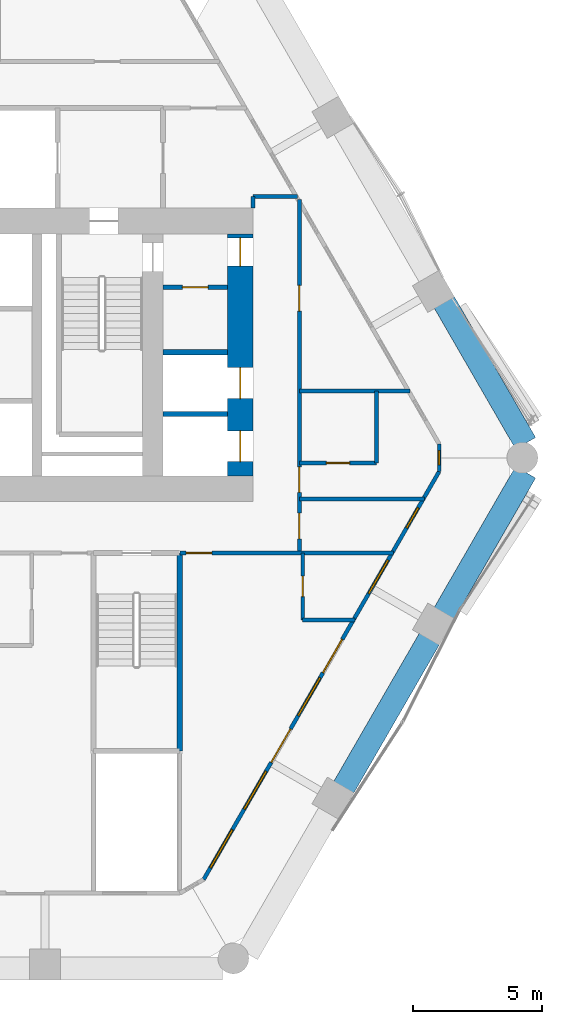
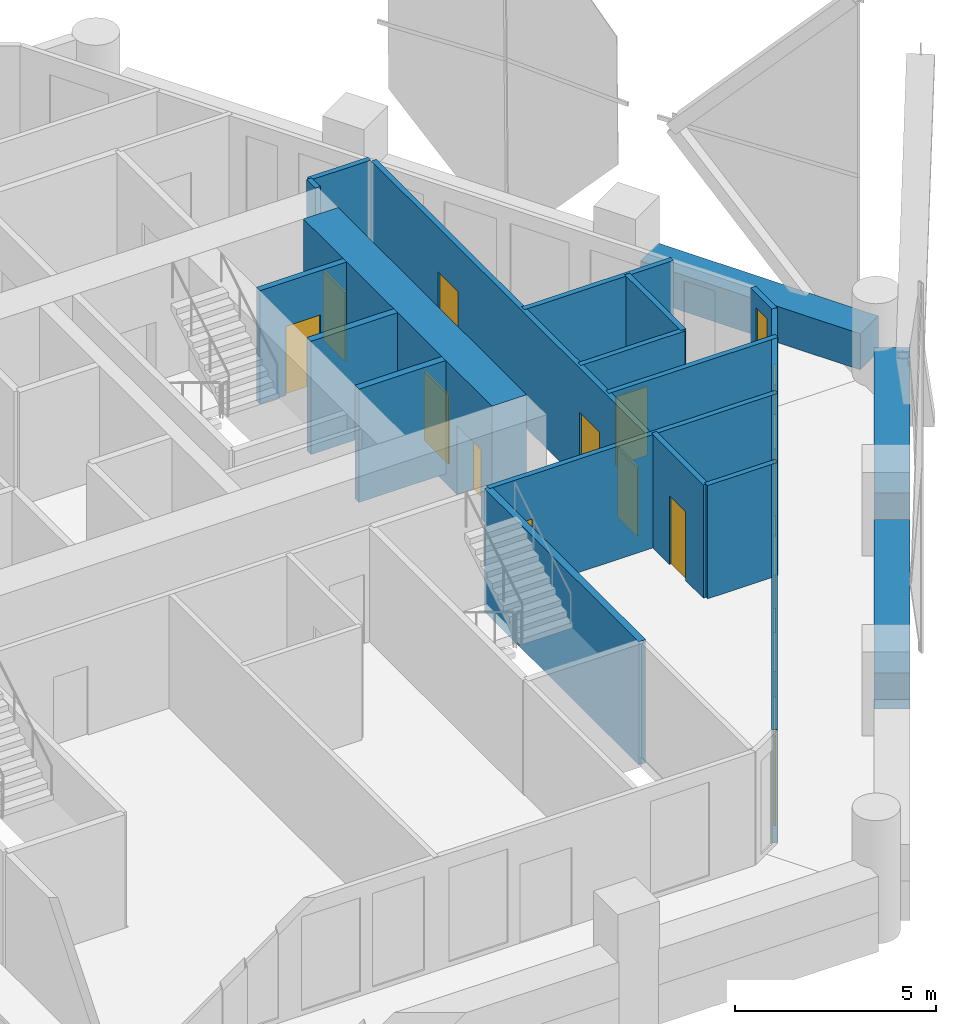
# One storey, part 12 of 16: 20 walls, 12 doors, 6 windows, 18 openings.
"""IFC4 building model written with IfcOpenShell, lengths in metres."""

from ifc_helpers import new_model, si_unit, direction, frame, frame_2d, origin, place, context, subcontext, project, spatial, rectangle, extrude, material, layer, layer_set, type_object, element, fill, save


model = new_model("IFC4")

# Units and contexts
model_context = context("Model", 3, precision=1e-05, world=origin(), true_north=direction((0.0, 1.0)))
body_context = subcontext(model_context, "Body", "Model", "MODEL_VIEW")
ifc_project = project(units=[si_unit("LENGTHUNIT", "METRE"), si_unit("AREAUNIT", "SQUARE_METRE"), si_unit("VOLUMEUNIT", "CUBIC_METRE"), si_unit("PLANEANGLEUNIT", "RADIAN"), si_unit("MASSUNIT", "GRAM", prefix="KILO")], contexts=[model_context])

# Site, building, storey
site_placement = place(None, origin())
site = spatial("IfcSite", under=ifc_project, at=site_placement, CompositionType="ELEMENT")
building_placement = place(site_placement, origin())
building = spatial("IfcBuilding", under=site, at=building_placement, Name="Ostrander Bayou Hotel Tower", CompositionType="ELEMENT")
storey_placement = place(building_placement, frame((0.0, 0.0, 85.5)))
storey = spatial("IfcBuildingStorey", under=building, at=storey_placement, Name="L21", CompositionType="ELEMENT", Elevation=85.5)

# Wall, openings, doors
ifc_material_1 = material(Name="Concrete f'c 70 MPa", Category="concrete")
ifc_layer_1 = layer(ifc_material_1, 1.0)
ifc_layer_set_1 = layer_set([ifc_layer_1], Name="CW4 core wall 1000 mm f'c 70 MPa")
wall_type_1 = type_object("IfcWallType", Name="CW4 core wall 1000 mm f'c 70 MPa", PredefinedType="SHEAR", material=ifc_layer_set_1)
wall_1_placement = place(storey_placement, frame((11.5, -0.699951171875, -0.300048828125), z_axis=(0.0, 0.0, 1.0), x_axis=(0.0, 1.0, 0.0)))
wall_1 = element("IfcWall", 1, at=wall_1_placement, inside=storey, type_object=wall_type_1, Name="CW4 L21 RE", PredefinedType="SHEAR", context=body_context, shape_type="SweptSolid", body=[
    extrude(rectangle(XDim=9.39990234375, YDim=1.0, at=frame_2d((4.699951171875, 0.0))), origin(), (0.0, 0.0, 1.0), 3.75),
])
opening_1_placement = place(wall_1_placement, frame((8.14990234375, 0.0, 0.0)))
opening_1 = element("IfcOpeningElement", 2, at=opening_1_placement, cuts=wall_1, Name="Opening T21-020", PredefinedType="OPENING", context=body_context, shape_type="SweptSolid", body=[
    extrude(rectangle(XDim=1.10009765625, YDim=2.10009765625, at=frame_2d((0.550048828125, 1.050048828125))), frame((0.0, 0.5, 0.0), z_axis=(0.0, -1.0, 0.0), x_axis=(1.0, 0.0, 0.0)), (0.0, 0.0, 1.0), 1.0),
])
opening_2_placement = place(wall_1_placement, frame((0.550048828125, 0.0, 0.0)))
opening_2 = element("IfcOpeningElement", 3, at=opening_2_placement, cuts=wall_1, Name="Opening T21-021", PredefinedType="OPENING", context=body_context, shape_type="SweptSolid", body=[
    extrude(rectangle(XDim=1.199951171875, YDim=2.10009765625, at=frame_2d((0.60009765625, 1.050048828125))), frame((0.0, 0.5, 0.0), z_axis=(0.0, -1.0, 0.0), x_axis=(1.0, 0.0, 0.0)), (0.0, 0.0, 1.0), 1.0),
])
opening_3_placement = place(wall_1_placement, frame((3.0, 0.0, 0.0)))
opening_3 = element("IfcOpeningElement", 4, at=opening_3_placement, cuts=wall_1, Name="Opening T21-022", PredefinedType="OPENING", context=body_context, shape_type="SweptSolid", body=[
    extrude(rectangle(XDim=1.199951171875, YDim=2.10009765625, at=frame_2d((0.60009765625, 1.050048828125))), frame((0.0, 0.5, 0.0), z_axis=(0.0, -1.0, 0.0), x_axis=(1.0, 0.0, 0.0)), (0.0, 0.0, 1.0), 1.0),
])
ifc_material_2 = material(Name="Timber door leaf", Category="wood")
door_type_1 = type_object("IfcDoorType", Name="D5 stair door 1100 x 2100 mm, 90 minute", OperationType="SINGLE_SWING_LEFT", PredefinedType="DOOR", material=ifc_material_2)
door_1_placement = place(opening_1_placement, origin())
door_1 = element("IfcDoor", 5, at=door_1_placement, inside=storey, type_object=door_type_1, Name="dr:L21:020", OperationType="SINGLE_SWING_RIGHT", OverallHeight=2.10009765625, OverallWidth=1.10009765625, PredefinedType="DOOR", context=body_context, shape_type="SweptSolid", body=[
    extrude(rectangle(XDim=1.10009765625, YDim=2.10009765625, at=frame_2d((0.550048828125, 1.050048828125))), frame((0.0, 0.02490234375, 0.0), z_axis=(0.0, -1.0, 0.0), x_axis=(1.0, 0.0, 0.0)), (0.0, 0.0, 1.0), 0.050048828125),
])
fill(opening_1, door_1)
ifc_material_3 = material(Name="Stainless steel sliding door", Category="steel")
door_type_2 = type_object("IfcDoorType", Name="LD1 lift landing door 1200 x 2100 mm", OperationType="SINGLE_SWING_LEFT", PredefinedType="DOOR", material=ifc_material_3)
door_2_placement = place(opening_2_placement, origin())
door_2 = element("IfcDoor", 6, at=door_2_placement, inside=storey, type_object=door_type_2, Name="dr:L21:021", OperationType="SLIDING_TO_LEFT", OverallHeight=2.10009765625, OverallWidth=1.199951171875, PredefinedType="DOOR", context=body_context, shape_type="SweptSolid", body=[
    extrude(rectangle(XDim=1.199951171875, YDim=2.10009765625, at=frame_2d((0.60009765625, 1.050048828125))), frame((0.0, 0.02490234375, 0.0), z_axis=(0.0, -1.0, 0.0), x_axis=(1.0, 0.0, 0.0)), (0.0, 0.0, 1.0), 0.050048828125),
])
fill(opening_2, door_2)
door_3_placement = place(opening_3_placement, origin())
door_3 = element("IfcDoor", 7, at=door_3_placement, inside=storey, type_object=door_type_2, Name="dr:L21:022", OperationType="SLIDING_TO_LEFT", OverallHeight=2.10009765625, OverallWidth=1.199951171875, PredefinedType="DOOR", context=body_context, shape_type="SweptSolid", body=[
    extrude(rectangle(XDim=1.199951171875, YDim=2.10009765625, at=frame_2d((0.60009765625, 1.050048828125))), frame((0.0, 0.02490234375, 0.0), z_axis=(0.0, -1.0, 0.0), x_axis=(1.0, 0.0, 0.0)), (0.0, 0.0, 1.0), 0.050048828125),
])
fill(opening_3, door_3)

# Wall, openings, doors, windows
ifc_material_4 = material(Name="Aluminium framed insulated wall", Category="aluminium")
ifc_layer_2 = layer(ifc_material_4, 0.14990234375)
ifc_layer_set_2 = layer_set([ifc_layer_2], Name="GW1 glass-line wall 150 mm")
wall_type_2 = type_object("IfcWallType", Name="GW1 glass-line wall 150 mm", PredefinedType="SOLIDWALL", material=ifc_layer_set_2)
wall_2_placement = place(storey_placement, frame((10.0791015625, -16.392578125, 0.0), z_axis=(0.0, 0.0, 1.0), x_axis=(0.499995945303, 0.866027744752, 0.0)))
wall_2 = element("IfcWall", 8, at=wall_2_placement, inside=storey, type_object=wall_type_2, Name="GW1 L21 SE 1", PredefinedType="SOLIDWALL", context=body_context, shape_type="SweptSolid", body=[
    extrude(rectangle(XDim=18.313720703125, YDim=0.14990234375, at=frame_2d((9.15673828125, 0.0))), origin(), (0.0, 0.0, 1.0), 3.449951171875),
])
opening_4_placement = place(wall_2_placement, frame((3.15673828125, 0.0, 0.14990234375)))
opening_4 = element("IfcOpeningElement", 9, at=opening_4_placement, cuts=wall_2, Name="Opening W2", PredefinedType="OPENING", context=body_context, shape_type="SweptSolid", body=[
    extrude(rectangle(XDim=1.699951171875, YDim=2.85009765625, at=frame_2d((0.85009765625, 1.425048828125))), frame((0.0, 0.074951171875, 0.0), z_axis=(0.0, -1.0, 0.0), x_axis=(1.0, 0.0, 0.0)), (0.0, 0.0, 1.0), 0.14990234375),
])
opening_5_placement = place(wall_2_placement, frame((5.2568359375, 0.0, 0.0)))
opening_5 = element("IfcOpeningElement", 10, at=opening_5_placement, cuts=wall_2, Name="Opening T21-804", PredefinedType="OPENING", context=body_context, shape_type="SweptSolid", body=[
    extrude(rectangle(XDim=1.5, YDim=2.39990234375, at=frame_2d((0.75, 1.199951171875))), frame((0.0, 0.074951171875, 0.0), z_axis=(0.0, -1.0, 0.0), x_axis=(1.0, 0.0, 0.0)), (0.0, 0.0, 1.0), 0.14990234375),
])
opening_6_placement = place(wall_2_placement, frame((7.356689453125, 0.0, 0.14990234375)))
opening_6 = element("IfcOpeningElement", 11, at=opening_6_placement, cuts=wall_2, Name="Opening W2", PredefinedType="OPENING", context=body_context, shape_type="SweptSolid", body=[
    extrude(rectangle(XDim=1.699951171875, YDim=2.85009765625, at=frame_2d((0.85009765625, 1.425048828125))), frame((0.0, 0.074951171875, 0.0), z_axis=(0.0, -1.0, 0.0), x_axis=(1.0, 0.0, 0.0)), (0.0, 0.0, 1.0), 0.14990234375),
])
opening_7_placement = place(wall_2_placement, frame((9.27978515625, 0.0, 0.0)))
opening_7 = element("IfcOpeningElement", 12, at=opening_7_placement, cuts=wall_2, Name="Opening T21-805", PredefinedType="OPENING", context=body_context, shape_type="SweptSolid", body=[
    extrude(rectangle(XDim=1.5, YDim=2.39990234375, at=frame_2d((0.75, 1.199951171875))), frame((0.0, 0.074951171875, 0.0), z_axis=(0.0, -1.0, 0.0), x_axis=(1.0, 0.0, 0.0)), (0.0, 0.0, 1.0), 0.14990234375),
])
opening_8_placement = place(wall_2_placement, frame((12.83203125, 0.0, 0.14990234375)))
opening_8 = element("IfcOpeningElement", 13, at=opening_8_placement, cuts=wall_2, Name="Opening W12", PredefinedType="OPENING", context=body_context, shape_type="SweptSolid", body=[
    extrude(rectangle(XDim=1.5, YDim=2.85009765625, at=frame_2d((0.75, 1.425048828125))), frame((0.0, 0.074951171875, 0.0), z_axis=(0.0, -1.0, 0.0), x_axis=(1.0, 0.0, 0.0)), (0.0, 0.0, 1.0), 0.14990234375),
])
opening_9_placement = place(wall_2_placement, frame((0.5283203125, 0.0, 0.14990234375)))
opening_9 = element("IfcOpeningElement", 14, at=opening_9_placement, cuts=wall_2, Name="Opening W2", PredefinedType="OPENING", context=body_context, shape_type="SweptSolid", body=[
    extrude(rectangle(XDim=1.699951171875, YDim=2.72998046875, at=frame_2d((0.85009765625, 1.364990234375))), frame((0.0, 0.074951171875, 0.0), z_axis=(0.0, -1.0, 0.0), x_axis=(1.0, 0.0, 0.0)), (0.0, 0.0, 1.0), 0.14990234375),
])
opening_10_placement = place(wall_2_placement, frame((15.781982421875, 0.0, 0.14990234375)))
opening_10 = element("IfcOpeningElement", 15, at=opening_10_placement, cuts=wall_2, Name="Opening W16", PredefinedType="OPENING", context=body_context, shape_type="SweptSolid", body=[
    extrude(rectangle(XDim=0.89990234375, YDim=2.72998046875, at=frame_2d((0.449951171875, 1.364990234375))), frame((0.0, 0.074951171875, 0.0), z_axis=(0.0, -1.0, 0.0), x_axis=(1.0, 0.0, 0.0)), (0.0, 0.0, 1.0), 0.14990234375),
])
ifc_material_5 = material(Name="Aluminium and clear glass", Category="aluminium")
door_type_3 = type_object("IfcDoorType", Name="SD2 sliding glass door 1500 mm, zone 2", OperationType="SLIDING_TO_LEFT", PredefinedType="DOOR", material=ifc_material_5)
door_4_placement = place(opening_5_placement, origin())
door_4 = element("IfcDoor", 16, at=door_4_placement, inside=storey, type_object=door_type_3, Name="SD2 L21 SE 1", OperationType="SLIDING_TO_LEFT", OverallHeight=2.39990234375, OverallWidth=1.5, PredefinedType="DOOR", context=body_context, shape_type="SweptSolid", body=[
    extrude(rectangle(XDim=1.5, YDim=2.39990234375, at=frame_2d((0.75, 1.199951171875))), frame((0.0, 0.02490234375, 0.0), z_axis=(0.0, -1.0, 0.0), x_axis=(1.0, 0.0, 0.0)), (0.0, 0.0, 1.0), 0.050048828125),
])
fill(opening_5, door_4)
door_5_placement = place(opening_7_placement, origin())
door_5 = element("IfcDoor", 17, at=door_5_placement, inside=storey, type_object=door_type_3, Name="SD2 L21 SE 2", OperationType="SLIDING_TO_RIGHT", OverallHeight=2.39990234375, OverallWidth=1.5, PredefinedType="DOOR", context=body_context, shape_type="SweptSolid", body=[
    extrude(rectangle(XDim=1.5, YDim=2.39990234375, at=frame_2d((0.75, 1.199951171875))), frame((0.0, 0.02490234375, 0.0), z_axis=(0.0, -1.0, 0.0), x_axis=(1.0, 0.0, 0.0)), (0.0, 0.0, 1.0), 0.050048828125),
])
fill(opening_7, door_5)
ifc_material_6 = material(Name="Aluminium and clear glass", Category="aluminium")
window_type_1 = type_object("IfcWindowType", Name="W12 fixed window 1500 mm, bath bay, zone 2", PartitioningType="SINGLE_PANEL", PredefinedType="WINDOW", material=ifc_material_6)
window_1_placement = place(opening_8_placement, origin())
window_1 = element("IfcWindow", 18, at=window_1_placement, inside=storey, type_object=window_type_1, Name="W12 L21 SE 3", OverallHeight=2.85009765625, OverallWidth=1.5, PartitioningType="SINGLE_PANEL", PredefinedType="WINDOW", context=body_context, shape_type="SweptSolid", body=[
    extrude(rectangle(XDim=1.5, YDim=2.85009765625, at=frame_2d((0.75, 1.425048828125))), frame((0.0, 0.030029296875, 0.0), z_axis=(0.0, -1.0, 0.0), x_axis=(1.0, 0.0, 0.0)), (0.0, 0.0, 1.0), 0.06005859375),
])
fill(opening_8, window_1)
ifc_material_7 = material(Name="Aluminium and clear glass", Category="aluminium")
window_type_2 = type_object("IfcWindowType", Name="W16 window 900 mm, zone 2", PartitioningType="SINGLE_PANEL", PredefinedType="WINDOW", material=ifc_material_7)
window_2_placement = place(opening_10_placement, origin())
window_2 = element("IfcWindow", 19, at=window_2_placement, inside=storey, type_object=window_type_2, Name="W16 L21 SE E21", OverallHeight=2.72998046875, OverallWidth=0.89990234375, PartitioningType="SINGLE_PANEL", PredefinedType="WINDOW", context=body_context, shape_type="SweptSolid", body=[
    extrude(rectangle(XDim=0.89990234375, YDim=2.72998046875, at=frame_2d((0.449951171875, 1.364990234375))), frame((0.0, 0.030029296875, 0.0), z_axis=(0.0, -1.0, 0.0), x_axis=(1.0, 0.0, 0.0)), (0.0, 0.0, 1.0), 0.06005859375),
])
fill(opening_10, window_2)
ifc_material_8 = material(Name="Aluminium and clear glass", Category="aluminium")
window_type_3 = type_object("IfcWindowType", Name="W2 fixed window 1700 mm, zone 2", PartitioningType="SINGLE_PANEL", PredefinedType="WINDOW", material=ifc_material_8)
window_3_placement = place(opening_4_placement, origin())
window_3 = element("IfcWindow", 20, at=window_3_placement, inside=storey, type_object=window_type_3, Name="W2 L21 SE 1", OverallHeight=2.85009765625, OverallWidth=1.699951171875, PartitioningType="SINGLE_PANEL", PredefinedType="WINDOW", context=body_context, shape_type="SweptSolid", body=[
    extrude(rectangle(XDim=1.699951171875, YDim=2.85009765625, at=frame_2d((0.85009765625, 1.425048828125))), frame((0.0, 0.030029296875, 0.0), z_axis=(0.0, -1.0, 0.0), x_axis=(1.0, 0.0, 0.0)), (0.0, 0.0, 1.0), 0.06005859375),
])
fill(opening_4, window_3)
window_4_placement = place(opening_6_placement, origin())
window_4 = element("IfcWindow", 21, at=window_4_placement, inside=storey, type_object=window_type_3, Name="W2 L21 SE 2", OverallHeight=2.85009765625, OverallWidth=1.699951171875, PartitioningType="SINGLE_PANEL", PredefinedType="WINDOW", context=body_context, shape_type="SweptSolid", body=[
    extrude(rectangle(XDim=1.699951171875, YDim=2.85009765625, at=frame_2d((0.85009765625, 1.425048828125))), frame((0.0, 0.030029296875, 0.0), z_axis=(0.0, -1.0, 0.0), x_axis=(1.0, 0.0, 0.0)), (0.0, 0.0, 1.0), 0.06005859375),
])
fill(opening_6, window_4)
window_5_placement = place(opening_9_placement, origin())
window_5 = element("IfcWindow", 22, at=window_5_placement, inside=storey, type_object=window_type_3, Name="W2 L21 SE E11", OverallHeight=2.72998046875, OverallWidth=1.699951171875, PartitioningType="SINGLE_PANEL", PredefinedType="WINDOW", context=body_context, shape_type="SweptSolid", body=[
    extrude(rectangle(XDim=1.699951171875, YDim=2.72998046875, at=frame_2d((0.85009765625, 1.364990234375))), frame((0.0, 0.030029296875, 0.0), z_axis=(0.0, -1.0, 0.0), x_axis=(1.0, 0.0, 0.0)), (0.0, 0.0, 1.0), 0.06005859375),
])
fill(opening_9, window_5)

# Wall, opening, window
wall_3_placement = place(storey_placement, frame((19.23583984375, -0.532470703125, 0.0), z_axis=(0.0, 0.0, 1.0), x_axis=(0.0, 1.0, 0.0)))
wall_3 = element("IfcWall", 23, at=wall_3_placement, inside=storey, type_object=wall_type_2, Name="GW1 L21 corner 5", PredefinedType="SOLIDWALL", context=body_context, shape_type="SweptSolid", body=[
    extrude(rectangle(XDim=1.06494140625, YDim=0.14990234375, at=frame_2d((0.532470703125, 0.0))), origin(), (0.0, 0.0, 1.0), 3.449951171875),
])
opening_11_placement = place(wall_3_placement, frame((0.257568359375, 0.0, 0.14990234375)))
opening_11 = element("IfcOpeningElement", 24, at=opening_11_placement, cuts=wall_3, Name="Opening W19", PredefinedType="OPENING", context=body_context, shape_type="SweptSolid", body=[
    extrude(rectangle(XDim=0.550048828125, YDim=2.85009765625, at=frame_2d((0.27490234375, 1.425048828125))), frame((0.0, 0.074951171875, 0.0), z_axis=(0.0, -1.0, 0.0), x_axis=(1.0, 0.0, 0.0)), (0.0, 0.0, 1.0), 0.14990234375),
])
ifc_material_9 = material(Name="Aluminium and clear glass", Category="aluminium")
window_type_4 = type_object("IfcWindowType", Name="W19 corner window 550 mm", PartitioningType="SINGLE_PANEL", PredefinedType="WINDOW", material=ifc_material_9)
window_6_placement = place(opening_11_placement, origin())
window_6 = element("IfcWindow", 25, at=window_6_placement, inside=storey, type_object=window_type_4, Name="W19 L21 corner 5", OverallHeight=2.85009765625, OverallWidth=0.550048828125, PartitioningType="SINGLE_PANEL", PredefinedType="WINDOW", context=body_context, shape_type="SweptSolid", body=[
    extrude(rectangle(XDim=0.550048828125, YDim=2.85009765625, at=frame_2d((0.27490234375, 1.425048828125))), frame((0.0, 0.030029296875, 0.0), z_axis=(0.0, -1.0, 0.0), x_axis=(1.0, 0.0, 0.0)), (0.0, 0.0, 1.0), 0.06005859375),
])
fill(opening_11, window_6)

# Walls
ifc_material_10 = material(Name="Concrete f'c 40 MPa", Category="concrete")
ifc_layer_3 = layer(ifc_material_10, 0.89990234375)
ifc_layer_set_3 = layer_set([ifc_layer_3], Name="PA1 stone-faced parapet 900 mm")
wall_type_3 = type_object("IfcWallType", Name="PA1 stone-faced parapet 900 mm", PredefinedType="PARAPET", material=ifc_layer_set_3)
wall_4_placement = place(storey_placement, frame((22.595458984375, 0.563720703125, 0.0), z_axis=(0.0, 0.0, 1.0), x_axis=(-0.500011668103, 0.866018667098, 0.0)))
element("IfcWall", 26, at=wall_4_placement, inside=storey, type_object=wall_type_3, Name="PA1 L21 NE-1", PredefinedType="PARAPET", context=body_context, shape_type="SweptSolid", body=[
    extrude(rectangle(XDim=6.332763671875, YDim=0.89990234375, at=frame_2d((3.16650390625, 0.0))), origin(), (0.0, 0.0, 1.0), 1.10009765625),
])
ifc_material_11 = material(Name="Limestone masonry", Category="masonry")
ifc_layer_4 = layer(ifc_material_11, 0.89990234375)
ifc_layer_set_4 = layer_set([ifc_layer_4], Name="PA2 limestone parapet 900 mm")
wall_type_4 = type_object("IfcWallType", Name="PA2 limestone parapet 900 mm", PredefinedType="PARAPET", material=ifc_layer_set_4)
wall_5_placement = place(storey_placement, frame((15.522216796875, -12.814697265625, 0.0), z_axis=(0.0, 0.0, 1.0), x_axis=(0.499999023957, 0.866025967302, 0.0)))
element("IfcWall", 27, at=wall_5_placement, inside=storey, type_object=wall_type_4, Name="PA2 L21 SE-2", PredefinedType="PARAPET", context=body_context, shape_type="SweptSolid", body=[
    extrude(rectangle(XDim=6.67333984375, YDim=0.89990234375, at=frame_2d((3.336669921875, 0.0))), origin(), (0.0, 0.0, 1.0), 1.10009765625),
])
wall_6_placement = place(storey_placement, frame((19.428955078125, -6.048095703125, 0.0), z_axis=(0.0, 0.0, 1.0), x_axis=(0.500011668103, 0.866018667098, 0.0)))
element("IfcWall", 28, at=wall_6_placement, inside=storey, type_object=wall_type_4, Name="PA2 L21 SE-3", PredefinedType="PARAPET", context=body_context, shape_type="SweptSolid", body=[
    extrude(rectangle(XDim=6.332763671875, YDim=0.89990234375, at=frame_2d((3.16650390625, 0.0))), origin(), (0.0, 0.0, 1.0), 1.10009765625),
])

# Wall, opening, door
ifc_material_12 = material(Name="Gypsum board partition", Category="finish")
ifc_layer_5 = layer(ifc_material_12, 0.175048828125)
ifc_layer_set_5 = layer_set([ifc_layer_5], Name="PT4 corridor wall 175 mm, 1 hour")
wall_type_5 = type_object("IfcWallType", Name="PT4 corridor wall 175 mm, 1 hour", PredefinedType="PARTITIONING", material=ifc_layer_set_5)
wall_7_placement = place(storey_placement, frame((8.5, 6.6298828125, 0.0), z_axis=(0.0, 0.0, 1.0), x_axis=(1.0, 0.0, 0.0)))
wall_7 = element("IfcWall", 29, at=wall_7_placement, inside=storey, type_object=wall_type_5, Name="cs:L21:038", PredefinedType="PARTITIONING", context=body_context, shape_type="SweptSolid", body=[
    extrude(rectangle(XDim=2.5, YDim=0.175048828125, at=frame_2d((1.25, 0.0))), origin(), (0.0, 0.0, 1.0), 3.449951171875),
])
opening_12_placement = place(wall_7_placement, frame((0.75, 0.0, 0.0)))
opening_12 = element("IfcOpeningElement", 30, at=opening_12_placement, cuts=wall_7, Name="Opening T21-019", PredefinedType="OPENING", context=body_context, shape_type="SweptSolid", body=[
    extrude(rectangle(XDim=1.0, YDim=2.10009765625, at=frame_2d((0.5, 1.050048828125))), frame((0.0, 0.08740234375, 0.0), z_axis=(0.0, -1.0, 0.0), x_axis=(1.0, 0.0, 0.0)), (0.0, 0.0, 1.0), 0.175048828125),
])
ifc_material_13 = material(Name="Timber door leaf", Category="wood")
door_type_4 = type_object("IfcDoorType", Name="D4 corridor door 1000 x 2100 mm, 1 hour", OperationType="SINGLE_SWING_LEFT", PredefinedType="DOOR", material=ifc_material_13)
door_6_placement = place(opening_12_placement, origin())
door_6 = element("IfcDoor", 31, at=door_6_placement, inside=storey, type_object=door_type_4, Name="dr:L21:019", OperationType="SINGLE_SWING_RIGHT", OverallHeight=2.10009765625, OverallWidth=1.0, PredefinedType="DOOR", context=body_context, shape_type="SweptSolid", body=[
    extrude(rectangle(XDim=1.0, YDim=2.10009765625, at=frame_2d((0.5, 1.050048828125))), frame((0.0, 0.02490234375, 0.0), z_axis=(0.0, -1.0, 0.0), x_axis=(1.0, 0.0, 0.0)), (0.0, 0.0, 1.0), 0.050048828125),
])
fill(opening_12, door_6)

# Walls
ifc_material_14 = material(Name="Masonry block", Category="masonry")
ifc_layer_6 = layer(ifc_material_14, 0.199951171875)
ifc_layer_set_6 = layer_set([ifc_layer_6], Name="PT6 lift shaft wall 200 mm masonry, 2 hour")
wall_type_6 = type_object("IfcWallType", Name="PT6 lift shaft wall 200 mm masonry, 2 hour", PredefinedType="PARTITIONING", material=ifc_layer_set_6)
for number, where, z_axis, x_axis, name in (
    (32, (8.5, 1.699951171875, 0.0), (0.0, 0.0, 1.0), (1.0, 0.0, 0.0), "cs:L21:036"),
    (33, (8.5, 4.10009765625, 0.0), (0.0, 0.0, 1.0), (1.0, 0.0, 0.0), "cs:L21:037"),
):
    element("IfcWall", number, at=place(storey_placement, frame(where, z_axis=z_axis, x_axis=x_axis)), inside=storey, type_object=wall_type_6, Name=name, PredefinedType="PARTITIONING", context=body_context, shape_type="SweptSolid", body=[
        extrude(rectangle(XDim=2.5, YDim=0.199951171875, at=frame_2d((1.25, 0.0))), origin(), (0.0, 0.0, 1.0), 3.449951171875),
    ])
ifc_material_15 = material(Name="Gypsum board partition", Category="finish")
ifc_layer_7 = layer(ifc_material_15, 0.14990234375)
ifc_layer_set_7 = layer_set([ifc_layer_7], Name="PT8 service band wall 150 mm, 1 hour")
wall_type_7 = type_object("IfcWallType", Name="PT8 service band wall 150 mm, 1 hour", PredefinedType="PARTITIONING", material=ifc_layer_set_7)
wall_8_placement = place(storey_placement, frame((13.929931640625, -6.300048828125, 0.0), z_axis=(0.0, 0.0, 1.0), x_axis=(1.0, 0.0, 0.0)))
element("IfcWall", 34, at=wall_8_placement, inside=storey, type_object=wall_type_7, Name="gw:L21:003", PredefinedType="PARTITIONING", context=body_context, shape_type="SweptSolid", body=[
    extrude(rectangle(XDim=2.028076171875, YDim=0.14990234375, at=frame_2d((1.01416015625, 0.0))), origin(), (0.0, 0.0, 1.0), 3.449951171875),
])

# Wall, opening, door
wall_9_placement = place(storey_placement, frame((9.159912109375, -3.699951171875, 0.0), z_axis=(0.0, 0.0, 1.0), x_axis=(1.0, 0.0, 0.0)))
wall_9 = element("IfcWall", 35, at=wall_9_placement, inside=storey, type_object=wall_type_7, Name="gw:L21:006", PredefinedType="PARTITIONING", context=body_context, shape_type="SweptSolid", body=[
    extrude(rectangle(XDim=8.299072265625, YDim=0.14990234375, at=frame_2d((4.1494140625, 0.0))), origin(), (0.0, 0.0, 1.0), 3.449951171875),
])
opening_13_placement = place(wall_9_placement, frame((0.239990234375, 0.0, 0.0)))
opening_13 = element("IfcOpeningElement", 36, at=opening_13_placement, cuts=wall_9, Name="Opening T21-405", PredefinedType="OPENING", context=body_context, shape_type="SweptSolid", body=[
    extrude(rectangle(XDim=1.0, YDim=2.10009765625, at=frame_2d((0.5, 1.050048828125))), frame((0.0, 0.074951171875, 0.0), z_axis=(0.0, -1.0, 0.0), x_axis=(1.0, 0.0, 0.0)), (0.0, 0.0, 1.0), 0.14990234375),
])
ifc_material_16 = material(Name="Timber door leaf", Category="wood")
door_type_5 = type_object("IfcDoorType", Name="D1 guest room door 1000 x 2100 mm, 30 minute", OperationType="SINGLE_SWING_LEFT", PredefinedType="DOOR", material=ifc_material_16)
door_7_placement = place(opening_13_placement, origin())
door_7 = element("IfcDoor", 37, at=door_7_placement, inside=storey, type_object=door_type_5, Name="dr:L21:405", OperationType="SINGLE_SWING_LEFT", OverallHeight=2.10009765625, OverallWidth=1.0, PredefinedType="DOOR", context=body_context, shape_type="SweptSolid", body=[
    extrude(rectangle(XDim=1.0, YDim=2.10009765625, at=frame_2d((0.5, 1.050048828125))), frame((0.0, 0.02490234375, 0.0), z_axis=(0.0, -1.0, 0.0), x_axis=(1.0, 0.0, 0.0)), (0.0, 0.0, 1.0), 0.050048828125),
])
fill(opening_13, door_7)

# Wall
wall_10_placement = place(storey_placement, frame((13.800048828125, -1.60009765625, 0.0), z_axis=(0.0, 0.0, 1.0), x_axis=(1.0, 0.0, 0.0)))
element("IfcWall", 38, at=wall_10_placement, inside=storey, type_object=wall_type_7, Name="gw:L21:007", PredefinedType="PARTITIONING", context=body_context, shape_type="SweptSolid", body=[
    extrude(rectangle(XDim=4.8720703125, YDim=0.14990234375, at=frame_2d((2.43603515625, 0.0))), origin(), (0.0, 0.0, 1.0), 3.449951171875),
])

# Wall, opening, door
wall_11_placement = place(storey_placement, frame((13.800048828125, -0.199951171875, 0.0), z_axis=(0.0, 0.0, 1.0), x_axis=(1.0, 0.0, 0.0)))
wall_11 = element("IfcWall", 39, at=wall_11_placement, inside=storey, type_object=wall_type_7, Name="gw:L21:008", PredefinedType="PARTITIONING", context=body_context, shape_type="SweptSolid", body=[
    extrude(rectangle(XDim=3.0, YDim=0.14990234375, at=frame_2d((1.5, 0.0))), origin(), (0.0, 0.0, 1.0), 3.449951171875),
])
opening_14_placement = place(wall_11_placement, frame((1.050048828125, 0.0, 0.0)))
opening_14 = element("IfcOpeningElement", 40, at=opening_14_placement, cuts=wall_11, Name="Opening T21-411", PredefinedType="OPENING", context=body_context, shape_type="SweptSolid", body=[
    extrude(rectangle(XDim=0.89990234375, YDim=2.10009765625, at=frame_2d((0.449951171875, 1.050048828125))), frame((0.0, 0.074951171875, 0.0), z_axis=(0.0, -1.0, 0.0), x_axis=(1.0, 0.0, 0.0)), (0.0, 0.0, 1.0), 0.14990234375),
])
ifc_material_17 = material(Name="Timber door leaf", Category="wood")
door_type_6 = type_object("IfcDoorType", Name="D14 bathroom door 900 x 2100 mm", OperationType="SINGLE_SWING_LEFT", PredefinedType="DOOR", material=ifc_material_17)
door_8_placement = place(opening_14_placement, origin())
door_8 = element("IfcDoor", 41, at=door_8_placement, inside=storey, type_object=door_type_6, Name="dr:L21:411", OperationType="SINGLE_SWING_LEFT", OverallHeight=2.10009765625, OverallWidth=0.89990234375, PredefinedType="DOOR", context=body_context, shape_type="SweptSolid", body=[
    extrude(rectangle(XDim=0.89990234375, YDim=2.10009765625, at=frame_2d((0.449951171875, 1.050048828125))), frame((0.0, 0.02490234375, 0.0), z_axis=(0.0, -1.0, 0.0), x_axis=(1.0, 0.0, 0.0)), (0.0, 0.0, 1.0), 0.050048828125),
])
fill(opening_14, door_8)

# Walls
wall_12_placement = place(storey_placement, frame((13.800048828125, 2.60009765625, 0.0), z_axis=(0.0, 0.0, 1.0), x_axis=(1.0, 0.0, 0.0)))
element("IfcWall", 42, at=wall_12_placement, inside=storey, type_object=wall_type_7, Name="gw:L21:009", PredefinedType="PARTITIONING", context=body_context, shape_type="SweptSolid", body=[
    extrude(rectangle(XDim=4.2939453125, YDim=0.14990234375, at=frame_2d((2.14697265625, 0.0))), origin(), (0.0, 0.0, 1.0), 3.449951171875),
])
wall_13_placement = place(storey_placement, frame((12.0, 10.14990234375, 0.0), z_axis=(0.0, 0.0, 1.0), x_axis=(1.0, 0.0, 0.0)))
element("IfcWall", 43, at=wall_13_placement, inside=storey, type_object=wall_type_7, Name="gw:L21:012", PredefinedType="PARTITIONING", context=body_context, shape_type="SweptSolid", body=[
    extrude(rectangle(XDim=1.735107421875, YDim=0.14990234375, at=frame_2d((0.86767578125, 0.0))), origin(), (0.0, 0.0, 1.0), 3.449951171875),
])
wall_14_placement = place(storey_placement, frame((16.800048828125, -0.199951171875, 0.0), z_axis=(0.0, 0.0, 1.0), x_axis=(0.0, 1.0, 0.0)))
element("IfcWall", 44, at=wall_14_placement, inside=storey, type_object=wall_type_7, Name="gw:L21:016", PredefinedType="PARTITIONING", context=body_context, shape_type="SweptSolid", body=[
    extrude(rectangle(XDim=2.800048828125, YDim=0.14990234375, at=frame_2d((1.39990234375, 0.0))), origin(), (0.0, 0.0, 1.0), 3.449951171875),
])

# Wall, opening, door
wall_15_placement = place(storey_placement, frame((13.929931640625, -6.300048828125, 0.0), z_axis=(0.0, 0.0, 1.0), x_axis=(0.0, 1.0, 0.0)))
wall_15 = element("IfcWall", 45, at=wall_15_placement, inside=storey, type_object=wall_type_7, Name="gw:L21:017", PredefinedType="PARTITIONING", context=body_context, shape_type="SweptSolid", body=[
    extrude(rectangle(XDim=2.60009765625, YDim=0.14990234375, at=frame_2d((1.300048828125, 0.0))), origin(), (0.0, 0.0, 1.0), 3.449951171875),
])
opening_15_placement = place(wall_15_placement, frame((0.89990234375, 0.0, 0.0)))
opening_15 = element("IfcOpeningElement", 46, at=opening_15_placement, cuts=wall_15, Name="Opening T21-406", PredefinedType="OPENING", context=body_context, shape_type="SweptSolid", body=[
    extrude(rectangle(XDim=0.800048828125, YDim=2.10009765625, at=frame_2d((0.39990234375, 1.050048828125))), frame((0.0, 0.074951171875, 0.0), z_axis=(0.0, -1.0, 0.0), x_axis=(1.0, 0.0, 0.0)), (0.0, 0.0, 1.0), 0.14990234375),
])
ifc_material_18 = material(Name="Timber door leaf", Category="wood")
door_type_7 = type_object("IfcDoorType", Name="D2 bathroom door 800 x 2100 mm", OperationType="SINGLE_SWING_LEFT", PredefinedType="DOOR", material=ifc_material_18)
door_9_placement = place(opening_15_placement, origin())
door_9 = element("IfcDoor", 47, at=door_9_placement, inside=storey, type_object=door_type_7, Name="dr:L21:406", OperationType="SINGLE_SWING_RIGHT", OverallHeight=2.10009765625, OverallWidth=0.800048828125, PredefinedType="DOOR", context=body_context, shape_type="SweptSolid", body=[
    extrude(rectangle(XDim=0.800048828125, YDim=2.10009765625, at=frame_2d((0.39990234375, 1.050048828125))), frame((0.0, 0.02490234375, 0.0), z_axis=(0.0, -1.0, 0.0), x_axis=(1.0, 0.0, 0.0)), (0.0, 0.0, 1.0), 0.050048828125),
])
fill(opening_15, door_9)

# Wall, openings, doors
wall_16_placement = place(storey_placement, frame((13.800048828125, -3.699951171875, 0.0), z_axis=(0.0, 0.0, 1.0), x_axis=(0.0, 1.0, 0.0)))
wall_16 = element("IfcWall", 48, at=wall_16_placement, inside=storey, type_object=wall_type_7, Name="gw:L21:018", PredefinedType="PARTITIONING", context=body_context, shape_type="SweptSolid", body=[
    extrude(rectangle(XDim=13.738037109375, YDim=0.14990234375, at=frame_2d((6.869140625, 0.0))), origin(), (0.0, 0.0, 1.0), 3.449951171875),
])
opening_16_placement = place(wall_16_placement, frame((0.550048828125, 0.0, 0.0)))
opening_16 = element("IfcOpeningElement", 49, at=opening_16_placement, cuts=wall_16, Name="Opening T21-409", PredefinedType="OPENING", context=body_context, shape_type="SweptSolid", body=[
    extrude(rectangle(XDim=1.0, YDim=2.10009765625, at=frame_2d((0.5, 1.050048828125))), frame((0.0, 0.074951171875, 0.0), z_axis=(0.0, -1.0, 0.0), x_axis=(1.0, 0.0, 0.0)), (0.0, 0.0, 1.0), 0.14990234375),
])
opening_17_placement = place(wall_16_placement, frame((2.35009765625, 0.0, 0.0)))
opening_17 = element("IfcOpeningElement", 50, at=opening_17_placement, cuts=wall_16, Name="Opening T21-410", PredefinedType="OPENING", context=body_context, shape_type="SweptSolid", body=[
    extrude(rectangle(XDim=1.0, YDim=2.10009765625, at=frame_2d((0.5, 1.050048828125))), frame((0.0, 0.074951171875, 0.0), z_axis=(0.0, -1.0, 0.0), x_axis=(1.0, 0.0, 0.0)), (0.0, 0.0, 1.0), 0.14990234375),
])
opening_18_placement = place(wall_16_placement, frame((9.39990234375, 0.0, 0.0)))
opening_18 = element("IfcOpeningElement", 51, at=opening_18_placement, cuts=wall_16, Name="Opening T21-412", PredefinedType="OPENING", context=body_context, shape_type="SweptSolid", body=[
    extrude(rectangle(XDim=1.0, YDim=2.10009765625, at=frame_2d((0.5, 1.050048828125))), frame((0.0, 0.074951171875, 0.0), z_axis=(0.0, -1.0, 0.0), x_axis=(1.0, 0.0, 0.0)), (0.0, 0.0, 1.0), 0.14990234375),
])
door_10_placement = place(opening_17_placement, origin())
door_10 = element("IfcDoor", 52, at=door_10_placement, inside=storey, type_object=door_type_5, Name="dr:L21:410", OperationType="SINGLE_SWING_LEFT", OverallHeight=2.10009765625, OverallWidth=1.0, PredefinedType="DOOR", context=body_context, shape_type="SweptSolid", body=[
    extrude(rectangle(XDim=1.0, YDim=2.10009765625, at=frame_2d((0.5, 1.050048828125))), frame((0.0, 0.02490234375, 0.0), z_axis=(0.0, -1.0, 0.0), x_axis=(1.0, 0.0, 0.0)), (0.0, 0.0, 1.0), 0.050048828125),
])
fill(opening_17, door_10)
ifc_material_19 = material(Name="Timber door leaf", Category="wood")
door_type_8 = type_object("IfcDoorType", Name="D9 service door 1000 x 2100 mm, 30 minute", OperationType="SINGLE_SWING_LEFT", PredefinedType="DOOR", material=ifc_material_19)
door_11_placement = place(opening_16_placement, origin())
door_11 = element("IfcDoor", 53, at=door_11_placement, inside=storey, type_object=door_type_8, Name="dr:L21:409", OperationType="SINGLE_SWING_LEFT", OverallHeight=2.10009765625, OverallWidth=1.0, PredefinedType="DOOR", context=body_context, shape_type="SweptSolid", body=[
    extrude(rectangle(XDim=1.0, YDim=2.10009765625, at=frame_2d((0.5, 1.050048828125))), frame((0.0, 0.02490234375, 0.0), z_axis=(0.0, -1.0, 0.0), x_axis=(1.0, 0.0, 0.0)), (0.0, 0.0, 1.0), 0.050048828125),
])
fill(opening_16, door_11)
door_12_placement = place(opening_18_placement, origin())
door_12 = element("IfcDoor", 54, at=door_12_placement, inside=storey, type_object=door_type_8, Name="dr:L21:412", OperationType="SINGLE_SWING_LEFT", OverallHeight=2.10009765625, OverallWidth=1.0, PredefinedType="DOOR", context=body_context, shape_type="SweptSolid", body=[
    extrude(rectangle(XDim=1.0, YDim=2.10009765625, at=frame_2d((0.5, 1.050048828125))), frame((0.0, 0.02490234375, 0.0), z_axis=(0.0, -1.0, 0.0), x_axis=(1.0, 0.0, 0.0)), (0.0, 0.0, 1.0), 0.050048828125),
])
fill(opening_18, door_12)

# Walls
wall_17_placement = place(storey_placement, frame((12.0, 9.7099609375, 0.0), z_axis=(0.0, 0.0, 1.0), x_axis=(0.0, 1.0, 0.0)))
element("IfcWall", 55, at=wall_17_placement, inside=storey, type_object=wall_type_7, Name="gw:L21:019", PredefinedType="PARTITIONING", context=body_context, shape_type="SweptSolid", body=[
    extrude(rectangle(XDim=0.43994140625, YDim=0.14990234375, at=frame_2d((0.219970703125, 0.0))), origin(), (0.0, 0.0, 1.0), 3.449951171875),
])
ifc_material_20 = material(Name="Concrete f'c 45 MPa", Category="concrete")
ifc_layer_8 = layer(ifc_material_20, 0.199951171875)
ifc_layer_set_8 = layer_set([ifc_layer_8], Name="SW5 stair enclosure wall 200 mm f'c 45 MPa")
wall_type_8 = type_object("IfcWallType", Name="SW5 stair enclosure wall 200 mm f'c 45 MPa", PredefinedType="SOLIDWALL", material=ifc_layer_set_8)
wall_18_placement = place(storey_placement, frame((9.14990234375, -3.699951171875, -0.300048828125), z_axis=(0.0, 0.0, 1.0), x_axis=(0.0, -1.0, 0.0)))
element("IfcWall", 56, at=wall_18_placement, inside=storey, type_object=wall_type_8, Name="cs:L21:017", PredefinedType="SOLIDWALL", context=body_context, shape_type="SweptSolid", body=[
    extrude(rectangle(XDim=7.699951171875, YDim=0.199951171875, at=frame_2d((3.85009765625, 0.0))), origin(), (0.0, 0.0, 1.0), 3.75),
])

save(model, "model.ifc")
